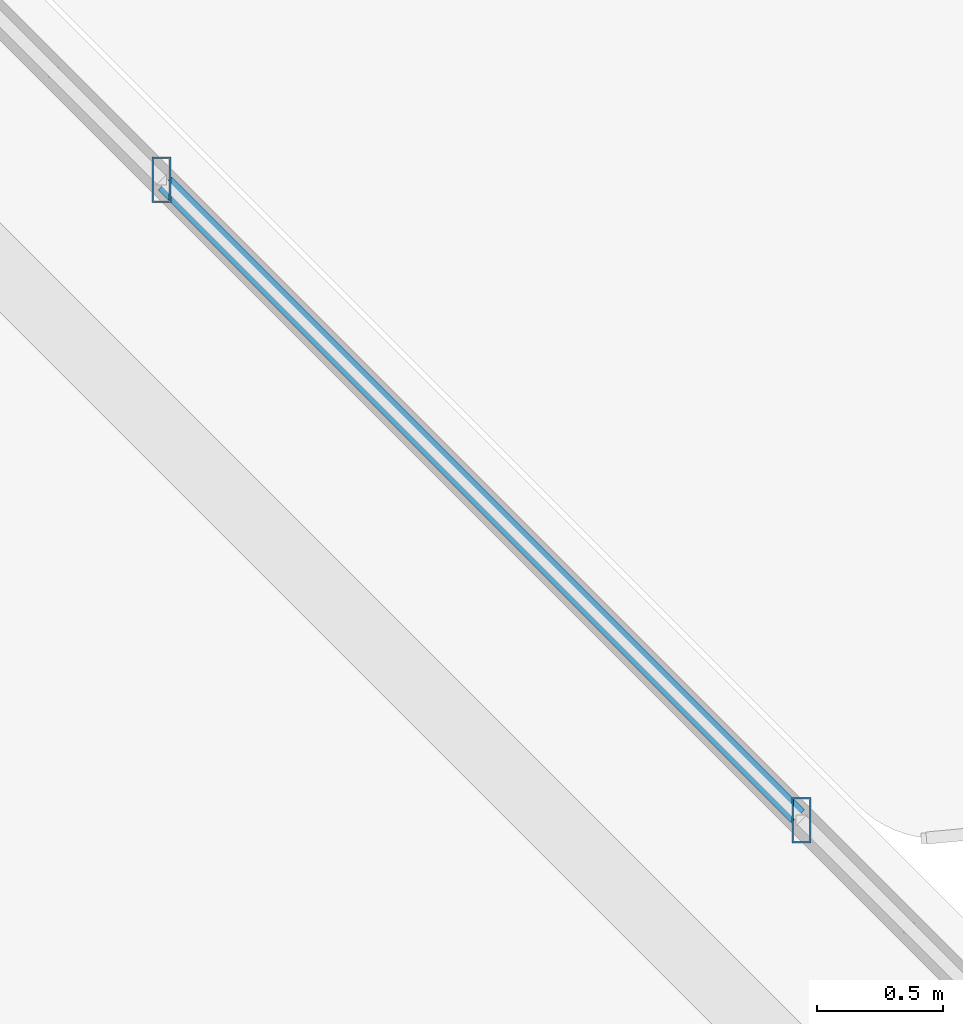
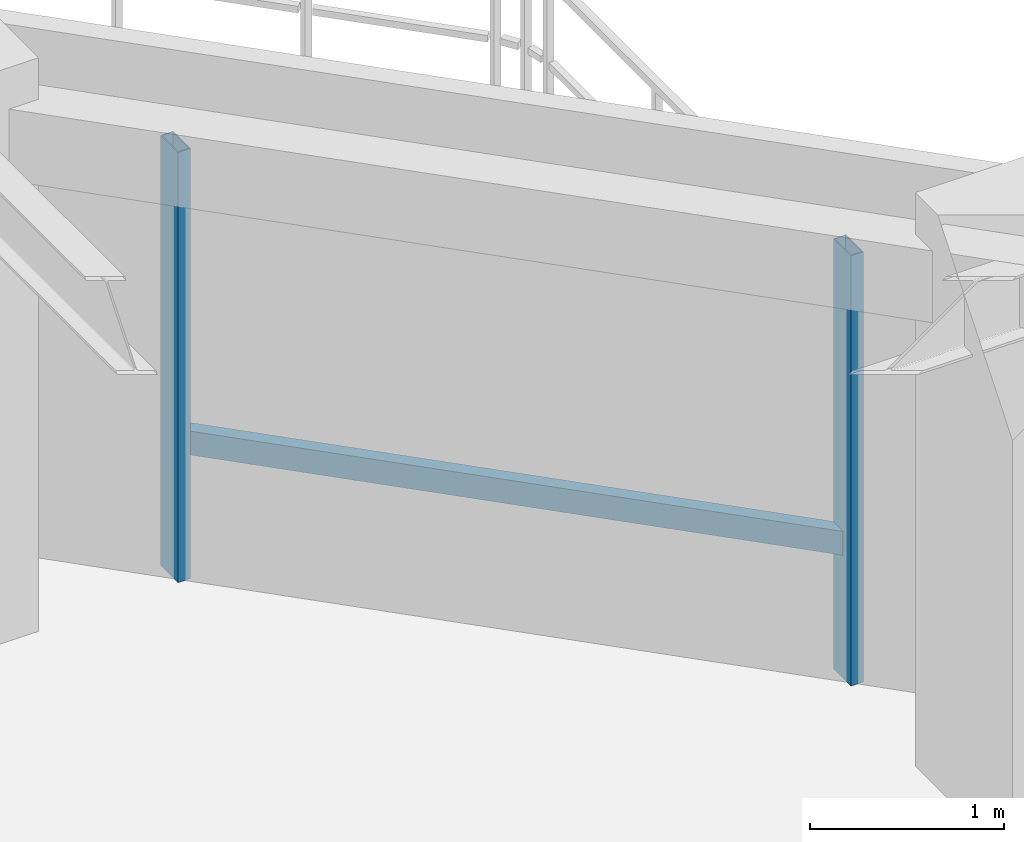
# One storey, part 18 of 32: 3 members, 1 element without a shape of its own.
"""IFC4 building model written with IfcOpenShell, lengths in metres."""

import ifcopenshell
import ifcopenshell.guid

model = None  # the IFC model being written
_history = None  # IfcOwnerHistory: only IFC2X3 demands one
_inside = {}  # id of a spatial element -> (the spatial element, [elements in it])
_under = {}  # id of a project, library or spatial element -> (it, [spatial elements below it])
_declared = {}  # id of a project -> (the project, [libraries it declares])
_typed = {}  # id of a type object -> (the type object, [elements of that type])
_made_of = {}  # id of a material, layer set ... -> (it, [elements and type objects made of it])


def new_model(schema):
    """Start an empty IFC model of exactly this schema.

    Asked for "IFC4X3", IfcOpenShell would pick the latest addendum, in which some entities
    have other attributes; the version numbers below select the first issue.
    IFC2X3 requires an IfcOwnerHistory on every rooted entity: one is made here for all.
    """
    global model, _history
    if schema == "IFC4X3":
        model = ifcopenshell.file(schema_version=(4, 3, 0, 0))
    else:
        model = ifcopenshell.file(schema=schema)
    _inside.clear()
    _under.clear()
    _declared.clear()
    _typed.clear()
    _made_of.clear()
    _history = None
    if model.schema == "IFC2X3":
        org = make("IfcOrganization", Name="unknown")
        user = make(
            "IfcPersonAndOrganization",
            ThePerson=make("IfcPerson", FamilyName="unknown"),
            TheOrganization=org,
        )
        app = make(
            "IfcApplication",
            ApplicationDeveloper=org,
            Version="unknown",
            ApplicationFullName="unknown",
            ApplicationIdentifier="unknown",
        )
        _history = make(
            "IfcOwnerHistory",
            OwningUser=user,
            OwningApplication=app,
            ChangeAction="ADDED",
            CreationDate=0,
        )
    return model


def make(cls, **values):
    """One entity of the class cls with the attributes given. An attribute that is None is left unset."""
    return model.create_entity(
        cls, **{name: value for name, value in values.items() if value is not None}
    )


def rooted(cls, **values):
    """An entity with a GlobalId (a new one), such as an element, a storey or a relation."""
    return make(cls, GlobalId=ifcopenshell.guid.new(), OwnerHistory=_history, **values)


def si_unit(unit_type, name, prefix=None):
    """IfcSIUnit, for example si_unit("LENGTHUNIT", "METRE", prefix="MILLI")."""
    return make("IfcSIUnit", UnitType=unit_type, Prefix=prefix, Name=name)


def assignment(units):
    """IfcUnitAssignment: the units of a project."""
    return None if units is None else make("IfcUnitAssignment", Units=units)


def point(xyz):
    """IfcCartesianPoint."""
    return None if xyz is None else make("IfcCartesianPoint", Coordinates=xyz)


def direction(xyz):
    """IfcDirection."""
    return None if xyz is None else make("IfcDirection", DirectionRatios=xyz)


def frame(location, z_axis=None, x_axis=None):
    """IfcAxis2Placement3D, a coordinate frame: its origin and axes. An axis left out is left unset."""
    return make(
        "IfcAxis2Placement3D",
        Location=point(location),
        Axis=direction(z_axis),
        RefDirection=direction(x_axis),
    )


def frame_2d(location, x_axis=None):
    """IfcAxis2Placement2D, a coordinate frame in the plane: its origin and x axis."""
    return make(
        "IfcAxis2Placement2D", Location=point(location), RefDirection=direction(x_axis)
    )


def origin():
    """The frame at (0, 0, 0) with its axes left unset."""
    return frame((0.0, 0.0, 0.0))


def origin_2d():
    """The frame at (0, 0) in the plane with its x axis left unset."""
    return frame_2d((0.0, 0.0))


def place(relative_to, where):
    """IfcLocalPlacement: puts the frame where relative to a parent placement (None: the world)."""
    return make(
        "IfcLocalPlacement", PlacementRelTo=relative_to, RelativePlacement=where
    )


def context(
    kind, dimensions, precision=None, world=None, true_north=None, identifier=None
):
    """IfcGeometricRepresentationContext, for example the 3D "Model" context."""
    return make(
        "IfcGeometricRepresentationContext",
        ContextIdentifier=identifier,
        ContextType=kind,
        CoordinateSpaceDimension=dimensions,
        Precision=precision,
        WorldCoordinateSystem=world,
        TrueNorth=true_north,
    )


def subcontext(parent, identifier, kind, view, scale=None):
    """IfcGeometricRepresentationSubContext, for example "Body" below "Model"."""
    return make(
        "IfcGeometricRepresentationSubContext",
        ContextIdentifier=identifier,
        ContextType=kind,
        ParentContext=parent,
        TargetScale=scale,
        TargetView=view,
    )


def project(units=None, contexts=None):
    """IfcProject with its units and contexts."""
    return rooted(
        "IfcProject",
        Name="project",
        RepresentationContexts=contexts,
        UnitsInContext=assignment(units),
    )


def spatial(cls, under=None, at=None, **own):
    """A site, building, storey or space (cls), placed at a placement, below another one or the project."""
    s = rooted(cls, ObjectPlacement=at, **own)
    if under is not None:
        _under.setdefault(under.id(), (under, []))[1].append(s)
    return s


def profile(cls, at=None, kind="AREA", **sizes):
    """A parametric profile (cls). Its sizes go by their IFC names, for example OverallWidth=200.0."""
    return make(cls, ProfileType=kind, Position=at, **sizes)


def hollow_rectangle(**sizes):
    """IfcRectangleHollowProfileDef."""
    return profile("IfcRectangleHollowProfileDef", **sizes)


def extrude(swept, where, along, depth):
    """IfcExtrudedAreaSolid: the profile swept, set in the frame where, extruded along a direction by depth."""
    return make(
        "IfcExtrudedAreaSolid",
        SweptArea=swept,
        Position=where,
        ExtrudedDirection=direction(along),
        Depth=depth,
    )


def shape(context_of_items, identifier, shape_type, items):
    """IfcShapeRepresentation: the items that make up one representation, for example the "Body"."""
    return make(
        "IfcShapeRepresentation",
        ContextOfItems=context_of_items,
        RepresentationIdentifier=identifier,
        RepresentationType=shape_type,
        Items=items,
    )


def material(Name=None, Category=None):
    """IfcMaterial."""
    return make("IfcMaterial", Name=Name, Category=Category)


def material_profile(
    of_material, cross_section, Name=None, Category=None, Priority=None
):
    """IfcMaterialProfile: a cross section and its material."""
    return make(
        "IfcMaterialProfile",
        Name=Name,
        Material=of_material,
        Profile=cross_section,
        Priority=Priority,
        Category=Category,
    )


def profile_set(profiles, Name=None, composite=None):
    """IfcMaterialProfileSet."""
    return make(
        "IfcMaterialProfileSet",
        Name=Name,
        MaterialProfiles=profiles,
        CompositeProfile=composite,
    )


def made_of(thing, what):
    """Note that an element or type object is made of a material, layer set ...; save() writes the relation."""
    if what is not None:
        _made_of.setdefault(what.id(), (what, []))[1].append(thing)
    return thing


def type_object(cls, material=None, **own):
    """A type object (cls), such as IfcWallType, which elements share."""
    return made_of(rooted(cls, **own), material)


def element(
    cls,
    number,
    at=None,
    inside=None,
    cuts=None,
    type_object=None,
    material=None,
    context=None,
    identifier="Body",
    shape_type=None,
    held_by="IfcProductDefinitionShape",
    body=None,
    shapes=None,
    **own,
):
    """One element of the class cls, such as IfcWall. Its Tag is "e" and its number.

    at: its placement. inside: the storey or other place that contains it. cuts: it is an
    opening in that element (IfcRelVoidsElement). A single representation is given by context,
    identifier, shape_type and body (its items); several are given by shapes. held_by: the class
    of the entity that holds the representations. save() writes the other relations.
    """
    e = rooted(cls, Tag="e%d" % number, ObjectPlacement=at, **own)
    if body is not None:
        shapes = [shape(context, identifier, shape_type, body)]
    if shapes is not None:
        e.Representation = make(held_by, Representations=shapes)
    if inside is not None:
        _inside.setdefault(inside.id(), (inside, []))[1].append(e)
    if cuts is not None:
        rooted(
            "IfcRelVoidsElement", RelatingBuildingElement=cuts, RelatedOpeningElement=e
        )
    if type_object is not None:
        _typed.setdefault(type_object.id(), (type_object, []))[1].append(e)
    return made_of(e, material)


def aggregate(whole, parts):
    """IfcRelAggregates: a whole, such as a stair, and the parts it consists of."""
    return rooted("IfcRelAggregates", RelatingObject=whole, RelatedObjects=parts)


def save(model, path):
    """Write the relations noted so far, then the file.

    IfcRelAggregates (storeys below a building ...), IfcRelContainedInSpatialStructure (elements
    in a storey), IfcRelDefinesByType, IfcRelAssociatesMaterial and IfcRelDeclares: one each for
    every whole, place, type object, material and project.
    """
    for whole, parts in _under.values():
        aggregate(whole, parts)
    for where, things in _inside.values():
        rooted(
            "IfcRelContainedInSpatialStructure",
            RelatedElements=things,
            RelatingStructure=where,
        )
    for kind, things in _typed.values():
        rooted("IfcRelDefinesByType", RelatedObjects=things, RelatingType=kind)
    for what, things in _made_of.values():
        rooted("IfcRelAssociatesMaterial", RelatedObjects=things, RelatingMaterial=what)
    for by, libraries in _declared.values():
        rooted("IfcRelDeclares", RelatingContext=by, RelatedDefinitions=libraries)
    model.write(path)


model = new_model("IFC4")

# Units and contexts
model_context = context("Model", 3, precision=1e-05, world=origin(), true_north=direction((0.0, 1.0)))
body_context = subcontext(model_context, "Body", "Model", "MODEL_VIEW")
ifc_project = project(units=[si_unit("LENGTHUNIT", "METRE"), si_unit("AREAUNIT", "SQUARE_METRE"), si_unit("VOLUMEUNIT", "CUBIC_METRE"), si_unit("PLANEANGLEUNIT", "RADIAN"), si_unit("MASSUNIT", "GRAM", prefix="KILO")], contexts=[model_context])

# Site, building, storey
site_placement = place(None, origin())
site = spatial("IfcSite", under=ifc_project, at=site_placement, CompositionType="ELEMENT")
building_placement = place(site_placement, origin())
building = spatial("IfcBuilding", under=site, at=building_placement, Name="Thornwick Lancets Civic Towers", CompositionType="ELEMENT")
storey_placement = place(building_placement, frame((0.0, 0.0, 200.10009765625)))
storey = spatial("IfcBuildingStorey", under=building, at=storey_placement, Name="L53", CompositionType="ELEMENT", Elevation=200.10009765625)

# Curtain wall, members
ifc_material_1 = material(Name="High-zone chamfered-corner unitised glass curtain wall", Category="glass")
curtain_wall_type = type_object("IfcCurtainWallType", Name="CW_SYS_05", PredefinedType="NOTDEFINED", material=ifc_material_1)
curtain_wall_placement = place(storey_placement, origin())
curtain_wall = element("IfcCurtainWall", 1, at=curtain_wall_placement, inside=storey, type_object=curtain_wall_type, Name="L53 Curtain Wall CW-L53-B-E3", PredefinedType="NOTDEFINED")
ifc_material_2 = material(Name="Thermally broken bronze aluminium S355", Category="steel")
ifc_material_profile_1 = material_profile(ifc_material_2, hollow_rectangle(XDim=0.074951171875, YDim=0.179931640625, WallThickness=0.006103515625, at=origin_2d()), Name="RHS 180x75x6")
ifc_profile_set_1 = profile_set([ifc_material_profile_1], Name="Thermally broken bronze aluminium S355")
member_type_1 = type_object("IfcMemberType", Name="CW_MUL_180", PredefinedType="MULLION", material=ifc_profile_set_1)
member_1_placement = place(storey_placement, frame((105.40869140625, 41.37646484375, 0.0), z_axis=(0.0, 0.0, 1.0), x_axis=(1.0, 0.0, 0.0)))
member_1 = element("IfcMember", 2, at=member_1_placement, type_object=member_type_1, Name="CW-L53-B-E3 Mullion 0", PredefinedType="MULLION", context=body_context, shape_type="SweptSolid", body=[
    extrude(hollow_rectangle(XDim=0.074951171875, YDim=0.179931640625, WallThickness=0.006103515625, at=origin_2d()), origin(), (0.0, 0.0, 1.0), 2.699951171875),
])
member_2_placement = place(storey_placement, frame((102.87646484375, 43.90869140625, 0.0), z_axis=(0.0, 0.0, 1.0), x_axis=(1.0, 0.0, 0.0)))
member_2 = element("IfcMember", 3, at=member_2_placement, type_object=member_type_1, Name="CW-L53-B-E3 Mullion 1", PredefinedType="MULLION", context=body_context, shape_type="SweptSolid", body=[
    extrude(hollow_rectangle(XDim=0.074951171875, YDim=0.179931640625, WallThickness=0.006103515625, at=origin_2d()), origin(), (0.0, 0.0, 1.0), 2.699951171875),
])
ifc_material_profile_2 = material_profile(ifc_material_2, hollow_rectangle(XDim=0.074951171875, YDim=0.14990234375, WallThickness=0.0048828125, at=origin_2d()), Name="RHS 150x75x5")
ifc_profile_set_2 = profile_set([ifc_material_profile_2], Name="Thermally broken bronze aluminium S355")
member_type_2 = type_object("IfcMemberType", Name="CW_TRN_150", PredefinedType="USERDEFINED", material=ifc_profile_set_2)
member_3_placement = place(storey_placement, frame((105.39453125, 41.390625, 0.849853515625), z_axis=(-0.707106781187, 0.707106781187, 0.0), x_axis=(-0.707106781187, -0.707106781187, 0.0)))
member_3 = element("IfcMember", 4, at=member_3_placement, type_object=member_type_2, Name="CW-L53-B-E3 Transom 0", ObjectType="TRANSOM", PredefinedType="USERDEFINED", context=body_context, shape_type="SweptSolid", body=[
    extrude(hollow_rectangle(XDim=0.074951171875, YDim=0.14990234375, WallThickness=0.0048828125, at=origin_2d()), origin(), (0.0, 0.0, 1.0), 3.541015625),
])
aggregate(curtain_wall, [member_1, member_2, member_3])

save(model, "model.ifc")
